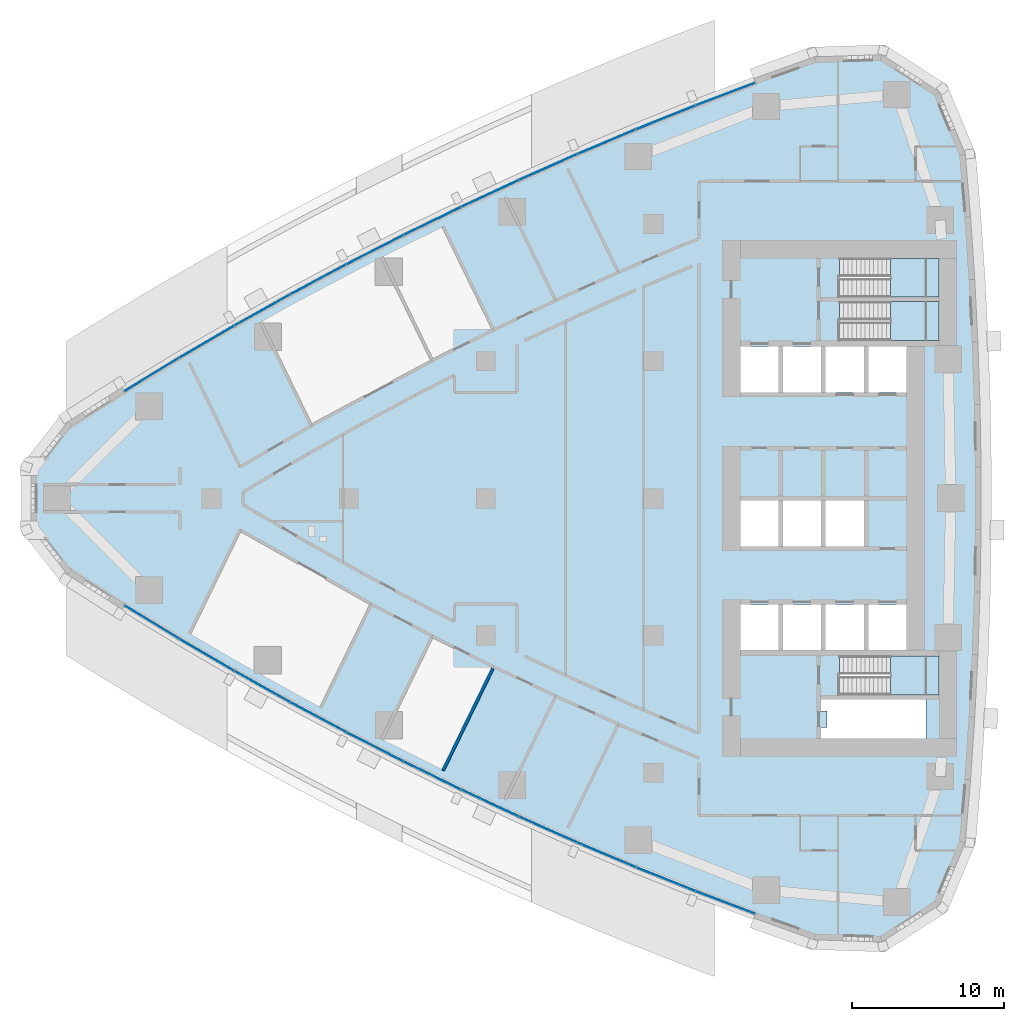
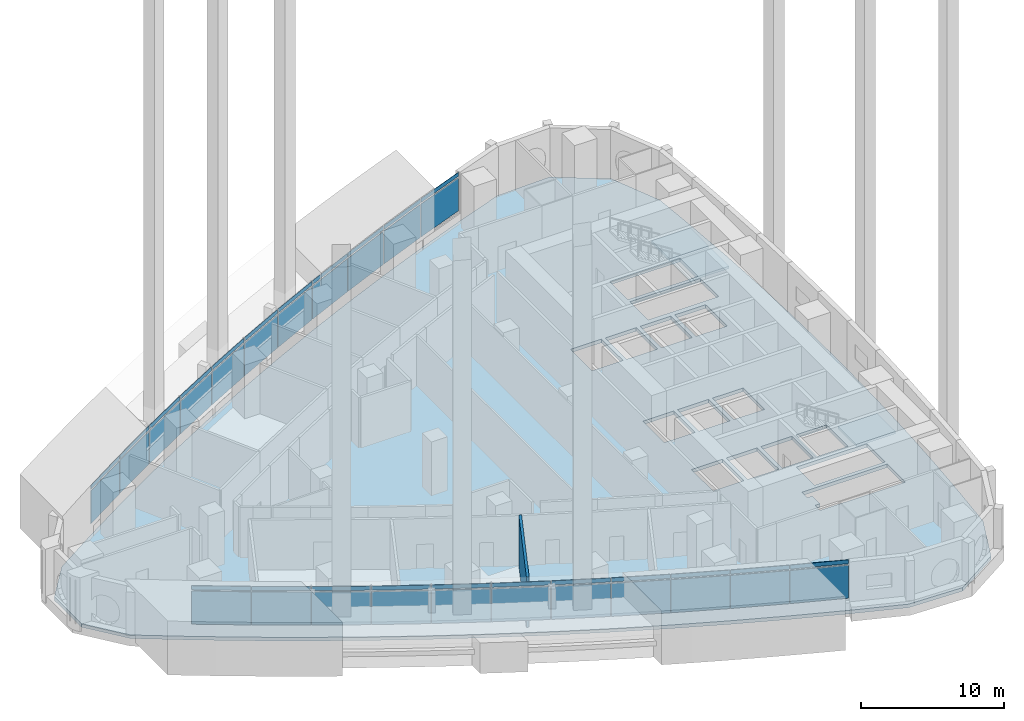
# One storey, part 8 of 20: 44 plates, 4 slabs, 1 wall, 1 opening, 13 elements without a shape of their own.
"""IFC4 building model written with IfcOpenShell, lengths in metres."""

import ifcopenshell
import ifcopenshell.guid

model = None  # the IFC model being written
_history = None  # IfcOwnerHistory: only IFC2X3 demands one
_inside = {}  # id of a spatial element -> (the spatial element, [elements in it])
_under = {}  # id of a project, library or spatial element -> (it, [spatial elements below it])
_declared = {}  # id of a project -> (the project, [libraries it declares])
_typed = {}  # id of a type object -> (the type object, [elements of that type])
_made_of = {}  # id of a material, layer set ... -> (it, [elements and type objects made of it])


def new_model(schema):
    """Start an empty IFC model of exactly this schema.

    Asked for "IFC4X3", IfcOpenShell would pick the latest addendum, in which some entities
    have other attributes; the version numbers below select the first issue.
    IFC2X3 requires an IfcOwnerHistory on every rooted entity: one is made here for all.
    """
    global model, _history
    if schema == "IFC4X3":
        model = ifcopenshell.file(schema_version=(4, 3, 0, 0))
    else:
        model = ifcopenshell.file(schema=schema)
    _inside.clear()
    _under.clear()
    _declared.clear()
    _typed.clear()
    _made_of.clear()
    _history = None
    if model.schema == "IFC2X3":
        org = make("IfcOrganization", Name="unknown")
        user = make(
            "IfcPersonAndOrganization",
            ThePerson=make("IfcPerson", FamilyName="unknown"),
            TheOrganization=org,
        )
        app = make(
            "IfcApplication",
            ApplicationDeveloper=org,
            Version="unknown",
            ApplicationFullName="unknown",
            ApplicationIdentifier="unknown",
        )
        _history = make(
            "IfcOwnerHistory",
            OwningUser=user,
            OwningApplication=app,
            ChangeAction="ADDED",
            CreationDate=0,
        )
    return model


def make(cls, **values):
    """One entity of the class cls with the attributes given. An attribute that is None is left unset."""
    return model.create_entity(
        cls, **{name: value for name, value in values.items() if value is not None}
    )


def rooted(cls, **values):
    """An entity with a GlobalId (a new one), such as an element, a storey or a relation."""
    return make(cls, GlobalId=ifcopenshell.guid.new(), OwnerHistory=_history, **values)


def si_unit(unit_type, name, prefix=None):
    """IfcSIUnit, for example si_unit("LENGTHUNIT", "METRE", prefix="MILLI")."""
    return make("IfcSIUnit", UnitType=unit_type, Prefix=prefix, Name=name)


def assignment(units):
    """IfcUnitAssignment: the units of a project."""
    return None if units is None else make("IfcUnitAssignment", Units=units)


def point(xyz):
    """IfcCartesianPoint."""
    return None if xyz is None else make("IfcCartesianPoint", Coordinates=xyz)


def direction(xyz):
    """IfcDirection."""
    return None if xyz is None else make("IfcDirection", DirectionRatios=xyz)


def frame(location, z_axis=None, x_axis=None):
    """IfcAxis2Placement3D, a coordinate frame: its origin and axes. An axis left out is left unset."""
    return make(
        "IfcAxis2Placement3D",
        Location=point(location),
        Axis=direction(z_axis),
        RefDirection=direction(x_axis),
    )


def frame_2d(location, x_axis=None):
    """IfcAxis2Placement2D, a coordinate frame in the plane: its origin and x axis."""
    return make(
        "IfcAxis2Placement2D", Location=point(location), RefDirection=direction(x_axis)
    )


def origin():
    """The frame at (0, 0, 0) with its axes left unset."""
    return frame((0.0, 0.0, 0.0))


def origin_2d():
    """The frame at (0, 0) in the plane with its x axis left unset."""
    return frame_2d((0.0, 0.0))


def place(relative_to, where):
    """IfcLocalPlacement: puts the frame where relative to a parent placement (None: the world)."""
    return make(
        "IfcLocalPlacement", PlacementRelTo=relative_to, RelativePlacement=where
    )


def context(
    kind, dimensions, precision=None, world=None, true_north=None, identifier=None
):
    """IfcGeometricRepresentationContext, for example the 3D "Model" context."""
    return make(
        "IfcGeometricRepresentationContext",
        ContextIdentifier=identifier,
        ContextType=kind,
        CoordinateSpaceDimension=dimensions,
        Precision=precision,
        WorldCoordinateSystem=world,
        TrueNorth=true_north,
    )


def subcontext(parent, identifier, kind, view, scale=None):
    """IfcGeometricRepresentationSubContext, for example "Body" below "Model"."""
    return make(
        "IfcGeometricRepresentationSubContext",
        ContextIdentifier=identifier,
        ContextType=kind,
        ParentContext=parent,
        TargetScale=scale,
        TargetView=view,
    )


def project(units=None, contexts=None):
    """IfcProject with its units and contexts."""
    return rooted(
        "IfcProject",
        Name="project",
        RepresentationContexts=contexts,
        UnitsInContext=assignment(units),
    )


def spatial(cls, under=None, at=None, **own):
    """A site, building, storey or space (cls), placed at a placement, below another one or the project."""
    s = rooted(cls, ObjectPlacement=at, **own)
    if under is not None:
        _under.setdefault(under.id(), (under, []))[1].append(s)
    return s


def polyline(points):
    """IfcPolyline through the points."""
    return make("IfcPolyline", Points=[point(p) for p in points])


def profile(cls, at=None, kind="AREA", **sizes):
    """A parametric profile (cls). Its sizes go by their IFC names, for example OverallWidth=200.0."""
    return make(cls, ProfileType=kind, Position=at, **sizes)


def rectangle(**sizes):
    """IfcRectangleProfileDef."""
    return profile("IfcRectangleProfileDef", **sizes)


def outline(outer, holes=None, kind="AREA"):
    """IfcArbitraryClosedProfileDef: a profile drawn as a closed curve; with holes, ...WithVoids."""
    if holes is None:
        return make("IfcArbitraryClosedProfileDef", ProfileType=kind, OuterCurve=outer)
    return make(
        "IfcArbitraryProfileDefWithVoids",
        ProfileType=kind,
        OuterCurve=outer,
        InnerCurves=holes,
    )


def extrude(swept, where, along, depth):
    """IfcExtrudedAreaSolid: the profile swept, set in the frame where, extruded along a direction by depth."""
    return make(
        "IfcExtrudedAreaSolid",
        SweptArea=swept,
        Position=where,
        ExtrudedDirection=direction(along),
        Depth=depth,
    )


def shape(context_of_items, identifier, shape_type, items):
    """IfcShapeRepresentation: the items that make up one representation, for example the "Body"."""
    return make(
        "IfcShapeRepresentation",
        ContextOfItems=context_of_items,
        RepresentationIdentifier=identifier,
        RepresentationType=shape_type,
        Items=items,
    )


def material(Name=None, Category=None):
    """IfcMaterial."""
    return make("IfcMaterial", Name=Name, Category=Category)


def layer(
    of_material, thickness, ventilated=None, Name=None, Category=None, Priority=None
):
    """IfcMaterialLayer: one layer of a wall or slab, of a material (None: an air gap)."""
    return make(
        "IfcMaterialLayer",
        Material=of_material,
        LayerThickness=thickness,
        IsVentilated=ventilated,
        Name=Name,
        Category=Category,
        Priority=Priority,
    )


def layer_set(layers, Name=None):
    """IfcMaterialLayerSet."""
    return make("IfcMaterialLayerSet", MaterialLayers=layers, LayerSetName=Name)


def made_of(thing, what):
    """Note that an element or type object is made of a material, layer set ...; save() writes the relation."""
    if what is not None:
        _made_of.setdefault(what.id(), (what, []))[1].append(thing)
    return thing


def type_object(cls, material=None, **own):
    """A type object (cls), such as IfcWallType, which elements share."""
    return made_of(rooted(cls, **own), material)


def element(
    cls,
    number,
    at=None,
    inside=None,
    cuts=None,
    type_object=None,
    material=None,
    context=None,
    identifier="Body",
    shape_type=None,
    held_by="IfcProductDefinitionShape",
    body=None,
    shapes=None,
    **own,
):
    """One element of the class cls, such as IfcWall. Its Tag is "e" and its number.

    at: its placement. inside: the storey or other place that contains it. cuts: it is an
    opening in that element (IfcRelVoidsElement). A single representation is given by context,
    identifier, shape_type and body (its items); several are given by shapes. held_by: the class
    of the entity that holds the representations. save() writes the other relations.
    """
    e = rooted(cls, Tag="e%d" % number, ObjectPlacement=at, **own)
    if body is not None:
        shapes = [shape(context, identifier, shape_type, body)]
    if shapes is not None:
        e.Representation = make(held_by, Representations=shapes)
    if inside is not None:
        _inside.setdefault(inside.id(), (inside, []))[1].append(e)
    if cuts is not None:
        rooted(
            "IfcRelVoidsElement", RelatingBuildingElement=cuts, RelatedOpeningElement=e
        )
    if type_object is not None:
        _typed.setdefault(type_object.id(), (type_object, []))[1].append(e)
    return made_of(e, material)


def aggregate(whole, parts):
    """IfcRelAggregates: a whole, such as a stair, and the parts it consists of."""
    return rooted("IfcRelAggregates", RelatingObject=whole, RelatedObjects=parts)


def save(model, path):
    """Write the relations noted so far, then the file.

    IfcRelAggregates (storeys below a building ...), IfcRelContainedInSpatialStructure (elements
    in a storey), IfcRelDefinesByType, IfcRelAssociatesMaterial and IfcRelDeclares: one each for
    every whole, place, type object, material and project.
    """
    for whole, parts in _under.values():
        aggregate(whole, parts)
    for where, things in _inside.values():
        rooted(
            "IfcRelContainedInSpatialStructure",
            RelatedElements=things,
            RelatingStructure=where,
        )
    for kind, things in _typed.values():
        rooted("IfcRelDefinesByType", RelatedObjects=things, RelatingType=kind)
    for what, things in _made_of.values():
        rooted("IfcRelAssociatesMaterial", RelatedObjects=things, RelatingMaterial=what)
    for by, libraries in _declared.values():
        rooted("IfcRelDeclares", RelatingContext=by, RelatedDefinitions=libraries)
    model.write(path)


model = new_model("IFC4")

# Units and contexts
model_context = context("Model", 3, precision=1e-05, world=origin(), true_north=direction((0.0, 1.0)))
body_context = subcontext(model_context, "Body", "Model", "MODEL_VIEW")
ifc_project = project(units=[si_unit("LENGTHUNIT", "METRE"), si_unit("AREAUNIT", "SQUARE_METRE"), si_unit("VOLUMEUNIT", "CUBIC_METRE"), si_unit("PLANEANGLEUNIT", "RADIAN"), si_unit("MASSUNIT", "GRAM", prefix="KILO")], contexts=[model_context])

# Site, building, storey
site_placement = place(None, origin())
site = spatial("IfcSite", under=ifc_project, at=site_placement, CompositionType="ELEMENT")
building_placement = place(site_placement, origin())
building = spatial("IfcBuilding", under=site, at=building_placement, Name="Ostrand Prow Hotel Tower", CompositionType="ELEMENT")
storey_placement = place(building_placement, frame((0.0, 0.0, 35.0)))
storey = spatial("IfcBuildingStorey", under=building, at=storey_placement, Name="L06", CompositionType="ELEMENT", Elevation=35.0)

# Curtain wall, plates
ifc_material_1 = material(Name="Insulated glass in bronze anodised frame", Category="glass")
ifc_layer_1 = layer(ifc_material_1, 0.199951171875)
ifc_layer_set_1 = layer_set([ifc_layer_1], Name="Insulated glass in bronze anodised frame")
curtain_wall_type = type_object("IfcCurtainWallType", Name="Sky lobby full-height curtain wall", PredefinedType="NOTDEFINED", material=ifc_layer_set_1)
curtain_wall_1_placement = place(storey_placement, origin())
curtain_wall_1 = element("IfcCurtainWall", 1, at=curtain_wall_1_placement, inside=storey, type_object=curtain_wall_type, Name="CW3 run CWS1", PredefinedType="NOTDEFINED")
ifc_material_2 = material(Name="Low-iron clear glass", Category="glass")
ifc_layer_2 = layer(ifc_material_2, 0.031982421875)
ifc_layer_set_2 = layer_set([ifc_layer_2], Name="Low-iron clear glass")
plate_type_1 = type_object("IfcPlateType", Name="Clear glass unit 32 mm", PredefinedType="CURTAIN_PANEL", material=ifc_layer_set_2)
plate_1_placement = place(storey_placement, frame((12.0859375, -8.12158203125, 1.02001953125), z_axis=(0.0, 0.0, 1.0), x_axis=(0.854269266322, -0.519830761515, 0.0)))
plate_1 = element("IfcPlate", 2, at=plate_1_placement, type_object=plate_type_1, Name="CW3 PN-C panel 1.2", PredefinedType="CURTAIN_PANEL", context=body_context, shape_type="SweptSolid", body=[
    extrude(rectangle(XDim=4.13427734375, YDim=0.031982421875, at=origin_2d()), origin(), (0.0, 0.0, 1.0), 2.820068359375),
])
plate_2_placement = place(storey_placement, frame((12.0859375, -8.12158203125, 3.9599609375), z_axis=(0.0, 0.0, 1.0), x_axis=(0.854269266322, -0.519830761515, 0.0)))
plate_2 = element("IfcPlate", 3, at=plate_2_placement, type_object=plate_type_1, Name="CW3 PN-C panel 1.3", PredefinedType="CURTAIN_PANEL", context=body_context, shape_type="SweptSolid", body=[
    extrude(rectangle(XDim=4.13427734375, YDim=0.031982421875, at=origin_2d()), origin(), (0.0, 0.0, 1.0), 0.340087890625),
])
plate_3_placement = place(storey_placement, frame((15.688720703125, -10.268798828125, 1.02001953125), z_axis=(0.0, 0.0, 1.0), x_axis=(0.863690392896, -0.50402272292, 0.0)))
plate_3 = element("IfcPlate", 4, at=plate_3_placement, type_object=plate_type_1, Name="CW3 PN-C panel 2.2", PredefinedType="CURTAIN_PANEL", context=body_context, shape_type="SweptSolid", body=[
    extrude(rectangle(XDim=4.13427734375, YDim=0.031982421875, at=origin_2d()), origin(), (0.0, 0.0, 1.0), 2.820068359375),
])

curtain_wall_2_placement = place(storey_placement, origin())
curtain_wall_2 = element("IfcCurtainWall", 5, at=curtain_wall_2_placement, inside=storey, type_object=curtain_wall_type, Name="CW3 run CWS2", PredefinedType="NOTDEFINED")
plate_4_placement = place(storey_placement, frame((19.33056640625, -12.349365234375, 1.02001953125), z_axis=(0.0, 0.0, 1.0), x_axis=(0.872819029241, -0.488043996167, 0.0)))
plate_4 = element("IfcPlate", 6, at=plate_4_placement, type_object=plate_type_1, Name="CW3 PN-C panel 1.2", PredefinedType="CURTAIN_PANEL", context=body_context, shape_type="SweptSolid", body=[
    extrude(rectangle(XDim=4.13427734375, YDim=0.031982421875, at=origin_2d()), origin(), (0.0, 0.0, 1.0), 2.820068359375),
])
plate_5_placement = place(storey_placement, frame((23.009765625, -14.362548828125, 1.02001953125), z_axis=(0.0, 0.0, 1.0), x_axis=(0.881652083929, -0.471899992481, 0.0)))
plate_5 = element("IfcPlate", 7, at=plate_5_placement, type_object=plate_type_1, Name="CW3 PN-C panel 2.2", PredefinedType="CURTAIN_PANEL", context=body_context, shape_type="SweptSolid", body=[
    extrude(rectangle(XDim=4.13427734375, YDim=0.031982421875, at=origin_2d()), origin(), (0.0, 0.0, 1.0), 2.820068359375),
])
plate_6_placement = place(storey_placement, frame((26.7255859375, -16.3076171875, 1.02001953125), z_axis=(0.0, 0.0, 1.0), x_axis=(0.890186565631, -0.455596179055, 0.0)))
plate_6 = element("IfcPlate", 8, at=plate_6_placement, type_object=plate_type_1, Name="CW3 PN-C panel 3.2", PredefinedType="CURTAIN_PANEL", context=body_context, shape_type="SweptSolid", body=[
    extrude(rectangle(XDim=4.13427734375, YDim=0.031982421875, at=origin_2d()), origin(), (0.0, 0.0, 1.0), 2.820068359375),
])
plate_7_placement = place(storey_placement, frame((26.7255859375, -16.3076171875, 3.9599609375), z_axis=(0.0, 0.0, 1.0), x_axis=(0.890186565631, -0.455596179055, 0.0)))
plate_7 = element("IfcPlate", 9, at=plate_7_placement, type_object=plate_type_1, Name="CW3 PN-C panel 3.3", PredefinedType="CURTAIN_PANEL", context=body_context, shape_type="SweptSolid", body=[
    extrude(rectangle(XDim=4.13427734375, YDim=0.031982421875, at=origin_2d()), origin(), (0.0, 0.0, 1.0), 0.340087890625),
])

curtain_wall_3_placement = place(storey_placement, origin())
curtain_wall_3 = element("IfcCurtainWall", 10, at=curtain_wall_3_placement, inside=storey, type_object=curtain_wall_type, Name="CW3 run CWS3", PredefinedType="NOTDEFINED")
plate_8_placement = place(storey_placement, frame((30.4765625, -18.183837890625, 1.02001953125), z_axis=(0.0, 0.0, 1.0), x_axis=(0.898419584131, -0.439138077204, 0.0)))
plate_8 = element("IfcPlate", 11, at=plate_8_placement, type_object=plate_type_1, Name="CW3 PN-C panel 1.2", PredefinedType="CURTAIN_PANEL", context=body_context, shape_type="SweptSolid", body=[
    extrude(rectangle(XDim=4.13427734375, YDim=0.031982421875, at=origin_2d()), origin(), (0.0, 0.0, 1.0), 2.820068359375),
])
plate_9_placement = place(storey_placement, frame((30.4765625, -18.183837890625, 3.9599609375), z_axis=(0.0, 0.0, 1.0), x_axis=(0.898419584131, -0.439138077204, 0.0)))
plate_9 = element("IfcPlate", 12, at=plate_9_placement, type_object=plate_type_1, Name="CW3 PN-C panel 1.3", PredefinedType="CURTAIN_PANEL", context=body_context, shape_type="SweptSolid", body=[
    extrude(rectangle(XDim=4.13427734375, YDim=0.031982421875, at=origin_2d()), origin(), (0.0, 0.0, 1.0), 0.340087890625),
])
plate_10_placement = place(storey_placement, frame((34.26123046875, -19.990966796875, 1.02001953125), z_axis=(0.0, 0.0, 1.0), x_axis=(0.906349088757, -0.422529678615, 0.0)))
plate_10 = element("IfcPlate", 13, at=plate_10_placement, type_object=plate_type_1, Name="CW3 PN-C panel 2.2", PredefinedType="CURTAIN_PANEL", context=body_context, shape_type="SweptSolid", body=[
    extrude(rectangle(XDim=4.13427734375, YDim=0.031982421875, at=origin_2d()), origin(), (0.0, 0.0, 1.0), 2.820068359375),
])

curtain_wall_4_placement = place(storey_placement, origin())
curtain_wall_4 = element("IfcCurtainWall", 14, at=curtain_wall_4_placement, inside=storey, type_object=curtain_wall_type, Name="CW3 run CWS4", PredefinedType="NOTDEFINED")
plate_11_placement = place(storey_placement, frame((38.078857421875, -21.72802734375, 1.02001953125), z_axis=(0.0, 0.0, 1.0), x_axis=(0.913970890274, -0.405779757666, 0.0)))
plate_11 = element("IfcPlate", 15, at=plate_11_placement, type_object=plate_type_1, Name="CW3 PN-C panel 1.2", PredefinedType="CURTAIN_PANEL", context=body_context, shape_type="SweptSolid", body=[
    extrude(rectangle(XDim=4.13427734375, YDim=0.031982421875, at=origin_2d()), origin(), (0.0, 0.0, 1.0), 2.820068359375),
])
plate_12_placement = place(storey_placement, frame((41.927490234375, -23.39453125, 1.02001953125), z_axis=(0.0, 0.0, 1.0), x_axis=(0.921283173987, -0.388892418709, 0.0)))
plate_12 = element("IfcPlate", 16, at=plate_12_placement, type_object=plate_type_1, Name="CW3 PN-C panel 2.2", PredefinedType="CURTAIN_PANEL", context=body_context, shape_type="SweptSolid", body=[
    extrude(rectangle(XDim=4.13427734375, YDim=0.031982421875, at=origin_2d()), origin(), (0.0, 0.0, 1.0), 2.820068359375),
])

curtain_wall_5_placement = place(storey_placement, origin())
curtain_wall_5 = element("IfcCurtainWall", 17, at=curtain_wall_5_placement, inside=storey, type_object=curtain_wall_type, Name="CW3 run CWS5", PredefinedType="NOTDEFINED")
plate_13_placement = place(storey_placement, frame((45.806396484375, -24.989990234375, 1.02001953125), z_axis=(0.0, 0.0, 1.0), x_axis=(0.928283463577, -0.371873380669, 0.0)))
plate_13 = element("IfcPlate", 18, at=plate_13_placement, type_object=plate_type_1, Name="CW3 PN-C panel 1.2", PredefinedType="CURTAIN_PANEL", context=body_context, shape_type="SweptSolid", body=[
    extrude(rectangle(XDim=4.13427734375, YDim=0.031982421875, at=origin_2d()), origin(), (0.0, 0.0, 1.0), 2.820068359375),
])
plate_14_placement = place(storey_placement, frame((45.806396484375, -24.989990234375, 3.9599609375), z_axis=(0.0, 0.0, 1.0), x_axis=(0.928283463577, -0.371873380669, 0.0)))
plate_14 = element("IfcPlate", 19, at=plate_14_placement, type_object=plate_type_1, Name="CW3 PN-C panel 1.3", PredefinedType="CURTAIN_PANEL", context=body_context, shape_type="SweptSolid", body=[
    extrude(rectangle(XDim=4.13427734375, YDim=0.031982421875, at=origin_2d()), origin(), (0.0, 0.0, 1.0), 0.340087890625),
])
plate_15_placement = place(storey_placement, frame((49.7138671875, -26.513671875, 1.02001953125), z_axis=(0.0, 0.0, 1.0), x_axis=(0.934969388384, -0.354728407072, 0.0)))
plate_15 = element("IfcPlate", 20, at=plate_15_placement, type_object=plate_type_1, Name="CW3 PN-C panel 2.2", PredefinedType="CURTAIN_PANEL", context=body_context, shape_type="SweptSolid", body=[
    extrude(rectangle(XDim=4.13427734375, YDim=0.031982421875, at=origin_2d()), origin(), (0.0, 0.0, 1.0), 2.820068359375),
])

curtain_wall_6_placement = place(storey_placement, origin())
curtain_wall_6 = element("IfcCurtainWall", 21, at=curtain_wall_6_placement, inside=storey, type_object=curtain_wall_type, Name="CW3 run CWN1", PredefinedType="NOTDEFINED")
plate_16_placement = place(storey_placement, frame((49.7138671875, 26.513671875, 1.02001953125), z_axis=(0.0, 0.0, 1.0), x_axis=(-0.934969388384, -0.354728407072, 0.0)))
plate_16 = element("IfcPlate", 22, at=plate_16_placement, type_object=plate_type_1, Name="CW3 PN-C panel 1.2", PredefinedType="CURTAIN_PANEL", context=body_context, shape_type="SweptSolid", body=[
    extrude(rectangle(XDim=4.13427734375, YDim=0.031982421875, at=origin_2d()), origin(), (0.0, 0.0, 1.0), 2.820068359375),
])
plate_17_placement = place(storey_placement, frame((49.7138671875, 26.513671875, 3.9599609375), z_axis=(0.0, 0.0, 1.0), x_axis=(-0.934969388384, -0.354728407072, 0.0)))
plate_17 = element("IfcPlate", 23, at=plate_17_placement, type_object=plate_type_1, Name="CW3 PN-C panel 1.3", PredefinedType="CURTAIN_PANEL", context=body_context, shape_type="SweptSolid", body=[
    extrude(rectangle(XDim=4.13427734375, YDim=0.031982421875, at=origin_2d()), origin(), (0.0, 0.0, 1.0), 0.340087890625),
])
plate_18_placement = place(storey_placement, frame((45.806396484375, 24.989990234375, 1.02001953125), z_axis=(0.0, 0.0, 1.0), x_axis=(-0.928283463577, -0.371873380669, 0.0)))
plate_18 = element("IfcPlate", 24, at=plate_18_placement, type_object=plate_type_1, Name="CW3 PN-C panel 2.2", PredefinedType="CURTAIN_PANEL", context=body_context, shape_type="SweptSolid", body=[
    extrude(rectangle(XDim=4.13427734375, YDim=0.031982421875, at=origin_2d()), origin(), (0.0, 0.0, 1.0), 2.820068359375),
])

curtain_wall_7_placement = place(storey_placement, origin())
curtain_wall_7 = element("IfcCurtainWall", 25, at=curtain_wall_7_placement, inside=storey, type_object=curtain_wall_type, Name="CW3 run CWN2", PredefinedType="NOTDEFINED")
plate_19_placement = place(storey_placement, frame((41.927490234375, 23.39453125, 1.02001953125), z_axis=(0.0, 0.0, 1.0), x_axis=(-0.921283173987, -0.388892418709, 0.0)))
plate_19 = element("IfcPlate", 26, at=plate_19_placement, type_object=plate_type_1, Name="CW3 PN-C panel 1.2", PredefinedType="CURTAIN_PANEL", context=body_context, shape_type="SweptSolid", body=[
    extrude(rectangle(XDim=4.13427734375, YDim=0.031982421875, at=origin_2d()), origin(), (0.0, 0.0, 1.0), 2.820068359375),
])
plate_20_placement = place(storey_placement, frame((38.078857421875, 21.72802734375, 1.02001953125), z_axis=(0.0, 0.0, 1.0), x_axis=(-0.913970890274, -0.405779757666, 0.0)))
plate_20 = element("IfcPlate", 27, at=plate_20_placement, type_object=plate_type_1, Name="CW3 PN-C panel 2.2", PredefinedType="CURTAIN_PANEL", context=body_context, shape_type="SweptSolid", body=[
    extrude(rectangle(XDim=4.13427734375, YDim=0.031982421875, at=origin_2d()), origin(), (0.0, 0.0, 1.0), 2.820068359375),
])

curtain_wall_8_placement = place(storey_placement, origin())
curtain_wall_8 = element("IfcCurtainWall", 28, at=curtain_wall_8_placement, inside=storey, type_object=curtain_wall_type, Name="CW3 run CWN3", PredefinedType="NOTDEFINED")
plate_21_placement = place(storey_placement, frame((34.26123046875, 19.990966796875, 1.02001953125), z_axis=(0.0, 0.0, 1.0), x_axis=(-0.906349088757, -0.422529678615, 0.0)))
plate_21 = element("IfcPlate", 29, at=plate_21_placement, type_object=plate_type_1, Name="CW3 PN-C panel 1.2", PredefinedType="CURTAIN_PANEL", context=body_context, shape_type="SweptSolid", body=[
    extrude(rectangle(XDim=4.13427734375, YDim=0.031982421875, at=origin_2d()), origin(), (0.0, 0.0, 1.0), 2.820068359375),
])
plate_22_placement = place(storey_placement, frame((34.26123046875, 19.990966796875, 3.9599609375), z_axis=(0.0, 0.0, 1.0), x_axis=(-0.906349088757, -0.422529678615, 0.0)))
plate_22 = element("IfcPlate", 30, at=plate_22_placement, type_object=plate_type_1, Name="CW3 PN-C panel 1.3", PredefinedType="CURTAIN_PANEL", context=body_context, shape_type="SweptSolid", body=[
    extrude(rectangle(XDim=4.13427734375, YDim=0.031982421875, at=origin_2d()), origin(), (0.0, 0.0, 1.0), 0.340087890625),
])
plate_23_placement = place(storey_placement, frame((30.4765625, 18.183837890625, 1.02001953125), z_axis=(0.0, 0.0, 1.0), x_axis=(-0.898419584131, -0.439138077204, 0.0)))
plate_23 = element("IfcPlate", 31, at=plate_23_placement, type_object=plate_type_1, Name="CW3 PN-C panel 2.2", PredefinedType="CURTAIN_PANEL", context=body_context, shape_type="SweptSolid", body=[
    extrude(rectangle(XDim=4.13427734375, YDim=0.031982421875, at=origin_2d()), origin(), (0.0, 0.0, 1.0), 2.820068359375),
])

curtain_wall_9_placement = place(storey_placement, origin())
curtain_wall_9 = element("IfcCurtainWall", 32, at=curtain_wall_9_placement, inside=storey, type_object=curtain_wall_type, Name="CW3 run CWN4", PredefinedType="NOTDEFINED")
plate_24_placement = place(storey_placement, frame((26.7255859375, 16.3076171875, 1.02001953125), z_axis=(0.0, 0.0, 1.0), x_axis=(-0.890186565631, -0.455596179055, 0.0)))
plate_24 = element("IfcPlate", 33, at=plate_24_placement, type_object=plate_type_1, Name="CW3 PN-C panel 1.2", PredefinedType="CURTAIN_PANEL", context=body_context, shape_type="SweptSolid", body=[
    extrude(rectangle(XDim=4.13427734375, YDim=0.031982421875, at=origin_2d()), origin(), (0.0, 0.0, 1.0), 2.820068359375),
])
plate_25_placement = place(storey_placement, frame((23.009765625, 14.362548828125, 1.02001953125), z_axis=(0.0, 0.0, 1.0), x_axis=(-0.881652083929, -0.471899992481, 0.0)))
plate_25 = element("IfcPlate", 34, at=plate_25_placement, type_object=plate_type_1, Name="CW3 PN-C panel 2.2", PredefinedType="CURTAIN_PANEL", context=body_context, shape_type="SweptSolid", body=[
    extrude(rectangle(XDim=4.13427734375, YDim=0.031982421875, at=origin_2d()), origin(), (0.0, 0.0, 1.0), 2.820068359375),
])
plate_26_placement = place(storey_placement, frame((19.33056640625, 12.349365234375, 1.02001953125), z_axis=(0.0, 0.0, 1.0), x_axis=(-0.872819029241, -0.488043996167, 0.0)))
plate_26 = element("IfcPlate", 35, at=plate_26_placement, type_object=plate_type_1, Name="CW3 PN-C panel 3.2", PredefinedType="CURTAIN_PANEL", context=body_context, shape_type="SweptSolid", body=[
    extrude(rectangle(XDim=4.13427734375, YDim=0.031982421875, at=origin_2d()), origin(), (0.0, 0.0, 1.0), 2.820068359375),
])
plate_27_placement = place(storey_placement, frame((19.33056640625, 12.349365234375, 3.9599609375), z_axis=(0.0, 0.0, 1.0), x_axis=(-0.872819029241, -0.488043996167, 0.0)))
plate_27 = element("IfcPlate", 36, at=plate_27_placement, type_object=plate_type_1, Name="CW3 PN-C panel 3.3", PredefinedType="CURTAIN_PANEL", context=body_context, shape_type="SweptSolid", body=[
    extrude(rectangle(XDim=4.13427734375, YDim=0.031982421875, at=origin_2d()), origin(), (0.0, 0.0, 1.0), 0.340087890625),
])

curtain_wall_10_placement = place(storey_placement, origin())
curtain_wall_10 = element("IfcCurtainWall", 37, at=curtain_wall_10_placement, inside=storey, type_object=curtain_wall_type, Name="CW3 run CWN5", PredefinedType="NOTDEFINED")
plate_28_placement = place(storey_placement, frame((15.688720703125, 10.268798828125, 1.02001953125), z_axis=(0.0, 0.0, 1.0), x_axis=(-0.863690392896, -0.50402272292, 0.0)))
plate_28 = element("IfcPlate", 38, at=plate_28_placement, type_object=plate_type_1, Name="CW3 PN-C panel 1.2", PredefinedType="CURTAIN_PANEL", context=body_context, shape_type="SweptSolid", body=[
    extrude(rectangle(XDim=4.13427734375, YDim=0.031982421875, at=origin_2d()), origin(), (0.0, 0.0, 1.0), 2.820068359375),
])
plate_29_placement = place(storey_placement, frame((15.688720703125, 10.268798828125, 3.9599609375), z_axis=(0.0, 0.0, 1.0), x_axis=(-0.863690392896, -0.50402272292, 0.0)))
plate_29 = element("IfcPlate", 39, at=plate_29_placement, type_object=plate_type_1, Name="CW3 PN-C panel 1.3", PredefinedType="CURTAIN_PANEL", context=body_context, shape_type="SweptSolid", body=[
    extrude(rectangle(XDim=4.13427734375, YDim=0.031982421875, at=origin_2d()), origin(), (0.0, 0.0, 1.0), 0.340087890625),
])
plate_30_placement = place(storey_placement, frame((12.0859375, 8.12158203125, 1.02001953125), z_axis=(0.0, 0.0, 1.0), x_axis=(-0.854269266322, -0.519830761515, 0.0)))
plate_30 = element("IfcPlate", 40, at=plate_30_placement, type_object=plate_type_1, Name="CW3 PN-C panel 2.2", PredefinedType="CURTAIN_PANEL", context=body_context, shape_type="SweptSolid", body=[
    extrude(rectangle(XDim=4.13427734375, YDim=0.031982421875, at=origin_2d()), origin(), (0.0, 0.0, 1.0), 2.820068359375),
])

# Plate
ifc_material_3 = material(Name="Ceramic-fritted glass", Category="glass")
ifc_layer_3 = layer(ifc_material_3, 0.031982421875)
ifc_layer_set_3 = layer_set([ifc_layer_3], Name="Ceramic-fritted glass")
plate_type_2 = type_object("IfcPlateType", Name="Dot-fritted ceramic glass unit 32 mm", PredefinedType="CURTAIN_PANEL", material=ifc_layer_set_3)
plate_31_placement = place(storey_placement, frame((15.688720703125, -10.268798828125, 3.9599609375), z_axis=(0.0, 0.0, 1.0), x_axis=(0.863690392896, -0.50402272292, 0.0)))
plate_31 = element("IfcPlate", 41, at=plate_31_placement, type_object=plate_type_2, Name="CW3 PN-D panel 2.3", PredefinedType="CURTAIN_PANEL", context=body_context, shape_type="SweptSolid", body=[
    extrude(rectangle(XDim=4.13427734375, YDim=0.031982421875, at=origin_2d()), origin(), (0.0, 0.0, 1.0), 0.340087890625),
])

aggregate(curtain_wall_1, [plate_1, plate_2, plate_3, plate_31])

plate_32_placement = place(storey_placement, frame((23.009765625, -14.362548828125, 3.9599609375), z_axis=(0.0, 0.0, 1.0), x_axis=(0.881652083929, -0.471899992481, 0.0)))
plate_32 = element("IfcPlate", 42, at=plate_32_placement, type_object=plate_type_2, Name="CW3 PN-D panel 2.3", PredefinedType="CURTAIN_PANEL", context=body_context, shape_type="SweptSolid", body=[
    extrude(rectangle(XDim=4.13427734375, YDim=0.031982421875, at=origin_2d()), origin(), (0.0, 0.0, 1.0), 0.340087890625),
])

plate_33_placement = place(storey_placement, frame((34.26123046875, -19.990966796875, 3.9599609375), z_axis=(0.0, 0.0, 1.0), x_axis=(0.906349088757, -0.422529678615, 0.0)))
plate_33 = element("IfcPlate", 43, at=plate_33_placement, type_object=plate_type_2, Name="CW3 PN-D panel 2.3", PredefinedType="CURTAIN_PANEL", context=body_context, shape_type="SweptSolid", body=[
    extrude(rectangle(XDim=4.13427734375, YDim=0.031982421875, at=origin_2d()), origin(), (0.0, 0.0, 1.0), 0.340087890625),
])

aggregate(curtain_wall_3, [plate_8, plate_9, plate_10, plate_33])

plate_34_placement = place(storey_placement, frame((41.927490234375, -23.39453125, 3.9599609375), z_axis=(0.0, 0.0, 1.0), x_axis=(0.921283173987, -0.388892418709, 0.0)))
plate_34 = element("IfcPlate", 44, at=plate_34_placement, type_object=plate_type_2, Name="CW3 PN-D panel 2.3", PredefinedType="CURTAIN_PANEL", context=body_context, shape_type="SweptSolid", body=[
    extrude(rectangle(XDim=4.13427734375, YDim=0.031982421875, at=origin_2d()), origin(), (0.0, 0.0, 1.0), 0.340087890625),
])

plate_35_placement = place(storey_placement, frame((49.7138671875, -26.513671875, 3.9599609375), z_axis=(0.0, 0.0, 1.0), x_axis=(0.934969388384, -0.354728407072, 0.0)))
plate_35 = element("IfcPlate", 45, at=plate_35_placement, type_object=plate_type_2, Name="CW3 PN-D panel 2.3", PredefinedType="CURTAIN_PANEL", context=body_context, shape_type="SweptSolid", body=[
    extrude(rectangle(XDim=4.13427734375, YDim=0.031982421875, at=origin_2d()), origin(), (0.0, 0.0, 1.0), 0.340087890625),
])

aggregate(curtain_wall_5, [plate_13, plate_14, plate_15, plate_35])

plate_36_placement = place(storey_placement, frame((45.806396484375, 24.989990234375, 3.9599609375), z_axis=(0.0, 0.0, 1.0), x_axis=(-0.928283463577, -0.371873380669, 0.0)))
plate_36 = element("IfcPlate", 46, at=plate_36_placement, type_object=plate_type_2, Name="CW3 PN-D panel 2.3", PredefinedType="CURTAIN_PANEL", context=body_context, shape_type="SweptSolid", body=[
    extrude(rectangle(XDim=4.13427734375, YDim=0.031982421875, at=origin_2d()), origin(), (0.0, 0.0, 1.0), 0.340087890625),
])

aggregate(curtain_wall_6, [plate_16, plate_17, plate_18, plate_36])

plate_37_placement = place(storey_placement, frame((38.078857421875, 21.72802734375, 3.9599609375), z_axis=(0.0, 0.0, 1.0), x_axis=(-0.913970890274, -0.405779757666, 0.0)))
plate_37 = element("IfcPlate", 47, at=plate_37_placement, type_object=plate_type_2, Name="CW3 PN-D panel 2.3", PredefinedType="CURTAIN_PANEL", context=body_context, shape_type="SweptSolid", body=[
    extrude(rectangle(XDim=4.13427734375, YDim=0.031982421875, at=origin_2d()), origin(), (0.0, 0.0, 1.0), 0.340087890625),
])

plate_38_placement = place(storey_placement, frame((30.4765625, 18.183837890625, 3.9599609375), z_axis=(0.0, 0.0, 1.0), x_axis=(-0.898419584131, -0.439138077204, 0.0)))
plate_38 = element("IfcPlate", 48, at=plate_38_placement, type_object=plate_type_2, Name="CW3 PN-D panel 2.3", PredefinedType="CURTAIN_PANEL", context=body_context, shape_type="SweptSolid", body=[
    extrude(rectangle(XDim=4.13427734375, YDim=0.031982421875, at=origin_2d()), origin(), (0.0, 0.0, 1.0), 0.340087890625),
])

aggregate(curtain_wall_8, [plate_21, plate_22, plate_23, plate_38])

plate_39_placement = place(storey_placement, frame((23.009765625, 14.362548828125, 3.9599609375), z_axis=(0.0, 0.0, 1.0), x_axis=(-0.881652083929, -0.471899992481, 0.0)))
plate_39 = element("IfcPlate", 49, at=plate_39_placement, type_object=plate_type_2, Name="CW3 PN-D panel 2.3", PredefinedType="CURTAIN_PANEL", context=body_context, shape_type="SweptSolid", body=[
    extrude(rectangle(XDim=4.13427734375, YDim=0.031982421875, at=origin_2d()), origin(), (0.0, 0.0, 1.0), 0.340087890625),
])

plate_40_placement = place(storey_placement, frame((12.0859375, 8.12158203125, 3.9599609375), z_axis=(0.0, 0.0, 1.0), x_axis=(-0.854269266322, -0.519830761515, 0.0)))
plate_40 = element("IfcPlate", 50, at=plate_40_placement, type_object=plate_type_2, Name="CW3 PN-D panel 2.3", PredefinedType="CURTAIN_PANEL", context=body_context, shape_type="SweptSolid", body=[
    extrude(rectangle(XDim=4.13427734375, YDim=0.031982421875, at=origin_2d()), origin(), (0.0, 0.0, 1.0), 0.340087890625),
])

aggregate(curtain_wall_10, [plate_28, plate_29, plate_30, plate_40])

ifc_material_4 = material(Name="Ceramic-fritted glass", Category="glass")
ifc_layer_4 = layer(ifc_material_4, 0.031982421875)
ifc_layer_set_4 = layer_set([ifc_layer_4], Name="Ceramic-fritted glass")
plate_type_3 = type_object("IfcPlateType", Name="Line-fritted ceramic glass unit 32 mm", PredefinedType="CURTAIN_PANEL", material=ifc_layer_set_4)
plate_41_placement = place(storey_placement, frame((19.33056640625, -12.349365234375, 3.9599609375), z_axis=(0.0, 0.0, 1.0), x_axis=(0.872819029241, -0.488043996167, 0.0)))
plate_41 = element("IfcPlate", 51, at=plate_41_placement, type_object=plate_type_3, Name="CW3 PN-L panel 1.3", PredefinedType="CURTAIN_PANEL", context=body_context, shape_type="SweptSolid", body=[
    extrude(rectangle(XDim=4.13427734375, YDim=0.031982421875, at=origin_2d()), origin(), (0.0, 0.0, 1.0), 0.340087890625),
])

aggregate(curtain_wall_2, [plate_4, plate_41, plate_5, plate_32, plate_6, plate_7])

plate_42_placement = place(storey_placement, frame((38.078857421875, -21.72802734375, 3.9599609375), z_axis=(0.0, 0.0, 1.0), x_axis=(0.913970890274, -0.405779757666, 0.0)))
plate_42 = element("IfcPlate", 52, at=plate_42_placement, type_object=plate_type_3, Name="CW3 PN-L panel 1.3", PredefinedType="CURTAIN_PANEL", context=body_context, shape_type="SweptSolid", body=[
    extrude(rectangle(XDim=4.13427734375, YDim=0.031982421875, at=origin_2d()), origin(), (0.0, 0.0, 1.0), 0.340087890625),
])

aggregate(curtain_wall_4, [plate_11, plate_42, plate_12, plate_34])

plate_43_placement = place(storey_placement, frame((41.927490234375, 23.39453125, 3.9599609375), z_axis=(0.0, 0.0, 1.0), x_axis=(-0.921283173987, -0.388892418709, 0.0)))
plate_43 = element("IfcPlate", 53, at=plate_43_placement, type_object=plate_type_3, Name="CW3 PN-L panel 1.3", PredefinedType="CURTAIN_PANEL", context=body_context, shape_type="SweptSolid", body=[
    extrude(rectangle(XDim=4.13427734375, YDim=0.031982421875, at=origin_2d()), origin(), (0.0, 0.0, 1.0), 0.340087890625),
])

aggregate(curtain_wall_7, [plate_19, plate_43, plate_20, plate_37])

plate_44_placement = place(storey_placement, frame((26.7255859375, 16.3076171875, 3.9599609375), z_axis=(0.0, 0.0, 1.0), x_axis=(-0.890186565631, -0.455596179055, 0.0)))
plate_44 = element("IfcPlate", 54, at=plate_44_placement, type_object=plate_type_3, Name="CW3 PN-L panel 1.3", PredefinedType="CURTAIN_PANEL", context=body_context, shape_type="SweptSolid", body=[
    extrude(rectangle(XDim=4.13427734375, YDim=0.031982421875, at=origin_2d()), origin(), (0.0, 0.0, 1.0), 0.340087890625),
])

aggregate(curtain_wall_9, [plate_24, plate_44, plate_25, plate_39, plate_26, plate_27])

# Slab, opening
ifc_material_5 = material(Name="Concrete C40/50", Category="concrete")
ifc_layer_5 = layer(ifc_material_5, 0.300048828125)
ifc_layer_set_5 = layer_set([ifc_layer_5], Name="Concrete C40/50")
slab_type_1 = type_object("IfcSlabType", Name="PT flat plate 300 C40/50", PredefinedType="FLOOR", material=ifc_layer_set_5)
slab_1_placement = place(storey_placement, frame((0.0, 0.0, -0.300048828125)))
slab_1 = element("IfcSlab", 55, at=slab_1_placement, inside=storey, type_object=slab_type_1, Name="Floor slab L06-1", PredefinedType="FLOOR", context=body_context, shape_type="SweptSolid", body=[
    extrude(outline(polyline([(6.690673828125, 4.805908203125), (10.26806640625, 7.073974609375), (13.851806640625, 9.2548828125), (17.47509765625, 11.369384765625), (21.136962890625, 13.416748046875), (24.83544921875, 15.396484375), (28.570068359375, 17.3076171875), (32.339111328125, 19.14990234375), (36.141357421875, 20.922607421875), (39.9755859375, 22.625), (43.840576171875, 24.25634765625), (47.73486328125, 25.81640625), (51.6572265625, 27.3046875), (55.64111328125, 28.73291015625), (59.92333984375, 28.873046875), (63.55908203125, 26.53369140625), (65.2060546875, 22.578369140625), (65.552978515625, 18.45166015625), (65.828369140625, 14.356689453125), (66.034912109375, 10.2578125), (66.172607421875, 6.15576171875), (66.241455078125, 2.052001953125), (66.241455078125, -2.052001953125), (66.172607421875, -6.15576171875), (66.034912109375, -10.2578125), (65.828369140625, -14.356689453125), (65.552978515625, -18.45166015625), (65.2060546875, -22.578369140625), (63.55908203125, -26.53369140625), (59.92333984375, -28.873046875), (55.64111328125, -28.73291015625), (51.6572265625, -27.3046875), (47.73486328125, -25.81640625), (43.840576171875, -24.25634765625), (39.9755859375, -22.625), (36.141357421875, -20.922607421875), (32.339111328125, -19.14990234375), (28.570068359375, -17.3076171875), (24.83544921875, -15.396484375), (21.136962890625, -13.416748046875), (17.47509765625, -11.369384765625), (13.851806640625, -9.2548828125), (10.26806640625, -7.073974609375), (6.690673828125, -4.805908203125), (4.399169921875, -1.8798828125), (4.399169921875, 1.8798828125), (6.690673828125, 4.805908203125)]), holes=[polyline([(50.699951171875, 6.949951171875), (53.199951171875, 6.949951171875), (53.199951171875, 9.949951171875), (50.699951171875, 9.949951171875), (50.699951171875, 6.949951171875)]), polyline([(53.5, 6.949951171875), (56.0, 6.949951171875), (56.0, 9.949951171875), (53.5, 9.949951171875), (53.5, 6.949951171875)]), polyline([(56.300048828125, 6.949951171875), (58.800048828125, 6.949951171875), (58.800048828125, 9.949951171875), (56.300048828125, 9.949951171875), (56.300048828125, 6.949951171875)]), polyline([(59.10009765625, 6.949951171875), (61.60009765625, 6.949951171875), (61.60009765625, 9.949951171875), (59.10009765625, 9.949951171875), (59.10009765625, 6.949951171875)]), polyline([(50.699951171875, -3.14990234375), (53.199951171875, -3.14990234375), (53.199951171875, -0.14990234375), (50.699951171875, -0.14990234375), (50.699951171875, -3.14990234375)]), polyline([(53.5, -3.14990234375), (56.0, -3.14990234375), (56.0, -0.14990234375), (53.5, -0.14990234375), (53.5, -3.14990234375)]), polyline([(56.300048828125, -3.14990234375), (58.800048828125, -3.14990234375), (58.800048828125, -0.14990234375), (56.300048828125, -0.14990234375), (56.300048828125, -3.14990234375)]), polyline([(50.699951171875, -9.949951171875), (53.199951171875, -9.949951171875), (53.199951171875, -6.949951171875), (50.699951171875, -6.949951171875), (50.699951171875, -9.949951171875)]), polyline([(53.5, -9.949951171875), (56.0, -9.949951171875), (56.0, -6.949951171875), (53.5, -6.949951171875), (53.5, -9.949951171875)]), polyline([(56.300048828125, -9.949951171875), (58.800048828125, -9.949951171875), (58.800048828125, -6.949951171875), (56.300048828125, -6.949951171875), (56.300048828125, -9.949951171875)]), polyline([(59.10009765625, -9.949951171875), (61.60009765625, -9.949951171875), (61.60009765625, -6.949951171875), (59.10009765625, -6.949951171875), (59.10009765625, -9.949951171875)]), polyline([(57.200927734375, 10.35107421875), (57.200927734375, 12.89892578125), (62.87890625, 12.89892578125), (62.87890625, 10.35107421875), (57.200927734375, 10.35107421875)]), polyline([(57.200927734375, 13.200927734375), (57.200927734375, 15.7490234375), (62.87890625, 15.7490234375), (62.87890625, 13.200927734375), (57.200927734375, 13.200927734375)]), polyline([(57.200927734375, -12.89892578125), (57.200927734375, -10.35107421875), (62.87890625, -10.35107421875), (62.87890625, -12.89892578125), (57.200927734375, -12.89892578125)]), polyline([(56.0, -13.199951171875), (62.8798828125, -13.199951171875), (62.8798828125, -15.75), (56.0, -15.75), (56.0, -15.050048828125), (56.39990234375, -15.050048828125), (56.39990234375, -13.949951171875), (56.0, -13.949951171875), (56.0, -13.199951171875)])]), origin(), (0.0, 0.0, 1.0), 0.300048828125),
])
opening_placement = place(slab_1_placement, origin())
element("IfcOpeningElement", 56, at=opening_placement, cuts=slab_1, Name="Shaft opening 1", PredefinedType="OPENING", context=body_context, shape_type="SweptSolid", body=[
    extrude(outline(polyline([(56.0, -13.199951171875), (62.8798828125, -13.199951171875), (62.8798828125, -15.75), (56.0, -15.75), (56.0, -15.050048828125), (56.39990234375, -15.050048828125), (56.39990234375, -13.949951171875), (56.0, -13.949951171875), (56.0, -13.199951171875)])), origin(), (0.0, 0.0, 1.0), 0.300048828125),
])

# Stair, slab
ifc_material_6 = material(Name="Concrete C40/50", Category="concrete")
stair_type = type_object("IfcStairType", Name="Exit stair 1200 upper zone", PredefinedType="HALF_TURN_STAIR", material=ifc_material_6)
stair_1_placement = place(storey_placement, origin())
stair_1 = element("IfcStair", 57, at=stair_1_placement, inside=storey, type_object=stair_type, Name="L06 ST1C", PredefinedType="HALF_TURN_STAIR")
ifc_material_7 = material(Name="Concrete C40/50", Category="concrete")
ifc_layer_6 = layer(ifc_material_7, 0.199951171875)
ifc_layer_set_6 = layer_set([ifc_layer_6], Name="Concrete C40/50")
slab_type_2 = type_object("IfcSlabType", Name="Stair landing 200 concrete", PredefinedType="LANDING", material=ifc_layer_set_6)
slab_2_placement = place(storey_placement, frame((0.0, 0.0, 2.10009765625)))
slab_2 = element("IfcSlab", 58, at=slab_2_placement, type_object=slab_type_2, Name="ST1C landing 1", PredefinedType="LANDING", context=body_context, shape_type="SweptSolid", body=[
    extrude(outline(polyline([(60.56005859375, 10.35009765625), (63.719970703125, 10.35009765625), (63.719970703125, 12.89990234375), (60.56005859375, 12.89990234375), (60.56005859375, 10.35009765625)])), origin(), (0.0, 0.0, 1.0), 0.199951171875),
])
aggregate(stair_1, [slab_2])

stair_2_placement = place(storey_placement, origin())
stair_2 = element("IfcStair", 59, at=stair_2_placement, inside=storey, type_object=stair_type, Name="L06 ST3C", PredefinedType="HALF_TURN_STAIR")
slab_3_placement = place(storey_placement, frame((0.0, 0.0, 2.10009765625)))
slab_3 = element("IfcSlab", 60, at=slab_3_placement, type_object=slab_type_2, Name="ST3C landing 1", PredefinedType="LANDING", context=body_context, shape_type="SweptSolid", body=[
    extrude(outline(polyline([(60.56005859375, 13.199951171875), (63.719970703125, 13.199951171875), (63.719970703125, 15.75), (60.56005859375, 15.75), (60.56005859375, 13.199951171875)])), origin(), (0.0, 0.0, 1.0), 0.199951171875),
])
aggregate(stair_2, [slab_3])

stair_3_placement = place(storey_placement, origin())
stair_3 = element("IfcStair", 61, at=stair_3_placement, inside=storey, type_object=stair_type, Name="L06 ST2C", PredefinedType="HALF_TURN_STAIR")
slab_4_placement = place(storey_placement, frame((0.0, 0.0, 2.10009765625)))
slab_4 = element("IfcSlab", 62, at=slab_4_placement, type_object=slab_type_2, Name="ST2C landing 1", PredefinedType="LANDING", context=body_context, shape_type="SweptSolid", body=[
    extrude(outline(polyline([(60.56005859375, -12.89990234375), (63.719970703125, -12.89990234375), (63.719970703125, -10.35009765625), (60.56005859375, -10.35009765625), (60.56005859375, -12.89990234375)])), origin(), (0.0, 0.0, 1.0), 0.199951171875),
])
aggregate(stair_3, [slab_4])

# Wall
ifc_material_8 = material(Name="Plasterboard partition")
ifc_layer_7 = layer(ifc_material_8, 0.199951171875)
ifc_layer_set_7 = layer_set([ifc_layer_7], Name="Plasterboard partition")
wall_type = type_object("IfcWallType", Name="Partition 200 key partition", PredefinedType="PARTITIONING", material=ifc_layer_set_7)
wall_placement = place(storey_placement, frame((31.190673828125, -17.865234375, 0.0), z_axis=(0.0, 0.0, 1.0), x_axis=(0.438187612283, 0.898883538865, 0.0)))
element("IfcWall", 63, at=wall_placement, inside=storey, type_object=wall_type, Name="KEY PARTITION", PredefinedType="PARTITIONING", context=body_context, shape_type="SweptSolid", body=[
    extrude(rectangle(XDim=7.581787109375, YDim=0.199951171875, at=frame_2d((3.791015625, 0.0))), origin(), (0.0, 0.0, 1.0), 4.300048828125),
])

save(model, "model.ifc")
